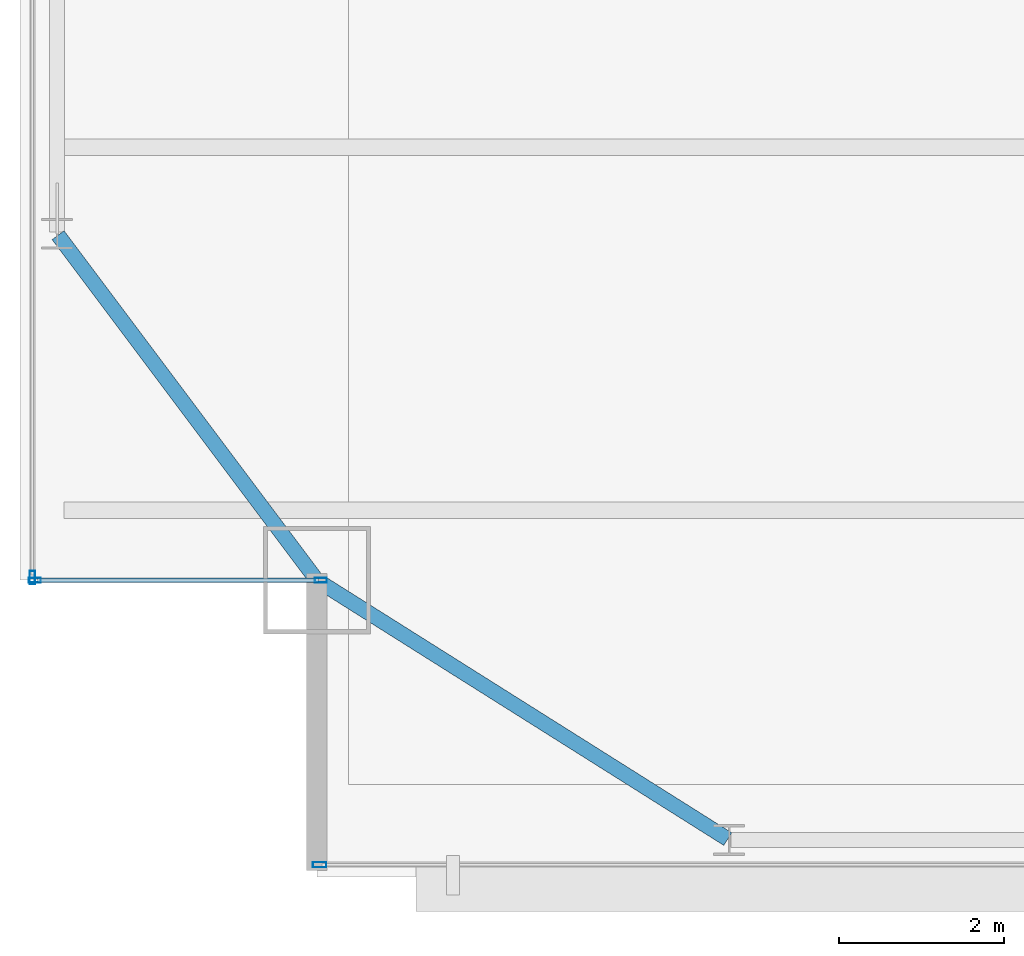
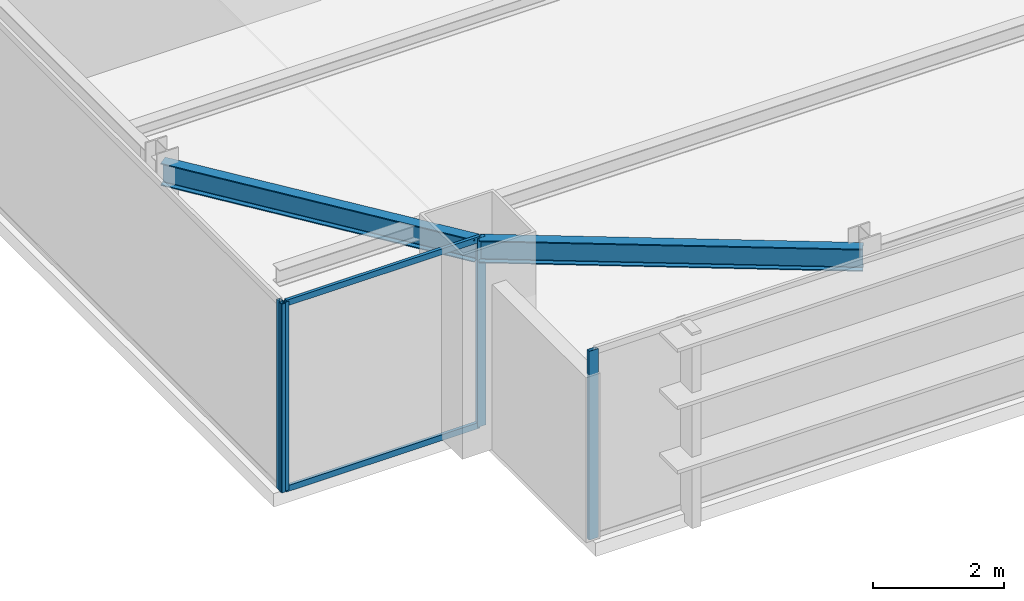
# One storey, part 4 of 29: 6 members, 2 beams, 3 elements without a shape of their own.
"""IFC4 building model written with IfcOpenShell, lengths in metres."""

from ifc_helpers import new_model, si_unit, direction, frame, origin, origin_2d, place, context, subcontext, project, spatial, hollow_rectangle, i_section, extrude, source, transform, mapped, material, layer, layer_set, material_profile, profile_set, type_object, type_shapes, element, aggregate, save


model = new_model("IFC4")

# Units and contexts
model_context = context("Model", 3, precision=1e-05, world=origin(), true_north=direction((0.0, 1.0)))
body_context = subcontext(model_context, "Body", "Model", "MODEL_VIEW")
ifc_project = project(units=[si_unit("LENGTHUNIT", "METRE"), si_unit("AREAUNIT", "SQUARE_METRE"), si_unit("VOLUMEUNIT", "CUBIC_METRE"), si_unit("PLANEANGLEUNIT", "RADIAN"), si_unit("MASSUNIT", "GRAM", prefix="KILO")], contexts=[model_context])

# Site, building, storey
site_placement = place(None, origin())
site = spatial("IfcSite", under=ifc_project, at=site_placement, CompositionType="ELEMENT")
building_placement = place(site_placement, origin())
building = spatial("IfcBuilding", under=site, at=building_placement, Name="Varnel Quay Broadcast Tower", CompositionType="ELEMENT")
storey_placement = place(building_placement, frame((0.0, 0.0, 187.60009765625)))
storey = spatial("IfcBuildingStorey", under=building, at=storey_placement, Name="L46", CompositionType="ELEMENT", Elevation=187.60009765625)

# Beams
ifc_material_1 = material(Name="Structural Steel CSA G40.21 350W", Category="steel")
ifc_material_profile_1 = material_profile(ifc_material_1, i_section(OverallWidth=0.180908203125, OverallDepth=0.4169921875, WebThickness=0.010986328125, FlangeThickness=0.018310546875, FilletRadius=0.011962890625, at=origin_2d()), Name="W410X85")
ifc_profile_set_1 = profile_set([ifc_material_profile_1], Name="Structural Steel CSA G40.21 350W")
beam_type = type_object("IfcBeamType", Name="Beam_W410X85", PredefinedType="SPANDREL", material=ifc_profile_set_1)
shared_shape_1 = source(origin(), body_context, "Body", "SweptSolid", [
    extrude(i_section(OverallWidth=0.180908203125, OverallDepth=0.4169921875, WebThickness=0.010986328125, FlangeThickness=0.018310546875, FilletRadius=0.011962890625, at=origin_2d()), origin(), (0.0, 0.0, 1.0), 5.869384765625),
])
beam_1_placement = place(storey_placement, frame((10.616943359375, 10.789306640625, 3.3115234375), z_axis=(0.846088328928, -0.533042718412, 0.0), x_axis=(0.533042718412, 0.846088328928, 0.0)))
element("IfcBeam", 1, at=beam_1_placement, inside=storey, type_object=beam_type, Name="L46 South Spandrel MC-SW-TC-S1", PredefinedType="SPANDREL", context=body_context, shape_type="MappedRepresentation", body=[
    mapped(shared_shape_1, transform((0.0, 0.0, 0.0), x_axis=(1.0, 0.0, 0.0), y_axis=(0.0, 1.0, 0.0), z_axis=(0.0, 0.0, 1.0), scale=1.0)),
])
shared_shape_2 = source(origin(), body_context, "Body", "SweptSolid", [
    extrude(i_section(OverallWidth=0.180908203125, OverallDepth=0.4169921875, WebThickness=0.010986328125, FlangeThickness=0.018310546875, FilletRadius=0.011962890625, at=origin_2d()), origin(), (0.0, 0.0, 1.0), 5.2099609375),
])
type_shapes(beam_type, [shared_shape_1, shared_shape_2])
beam_2_placement = place(storey_placement, frame((10.587890625, 10.81591796875, 3.3115234375), z_axis=(-0.6, 0.8, 0.0), x_axis=(-0.8, -0.6, 0.0)))
element("IfcBeam", 2, at=beam_2_placement, inside=storey, type_object=beam_type, Name="L46 West Spandrel MC-SW-TC-W1", PredefinedType="SPANDREL", context=body_context, shape_type="MappedRepresentation", body=[
    mapped(shared_shape_2, transform((0.0, 0.0, 0.0), x_axis=(1.0, 0.0, 0.0), y_axis=(0.0, 1.0, 0.0), z_axis=(0.0, 0.0, 1.0), scale=1.0)),
])

# Curtain wall, members
ifc_material_2 = material(Name="Anodised Bronze Aluminium 6063-T6", Category="aluminium")
ifc_layer_1 = layer(ifc_material_2, 0.18994140625, Name="Anodised Bronze Aluminium 6063-T6")
ifc_layer_set_1 = layer_set([ifc_layer_1], Name="Anodised Bronze Aluminium 6063-T6")
curtain_wall_type_1 = type_object("IfcCurtainWallType", Name="CW_NotchCorner", PredefinedType="NOTDEFINED", material=ifc_layer_set_1)
curtain_wall_1_placement = place(storey_placement, origin())
curtain_wall_1 = element("IfcCurtainWall", 3, at=curtain_wall_1_placement, inside=storey, type_object=curtain_wall_type_1, Name="L46 SW Notch Curtain Wall", PredefinedType="NOTDEFINED")
ifc_material_profile_2 = material_profile(ifc_material_2, hollow_rectangle(XDim=0.054931640625, YDim=0.110107421875, WallThickness=0.0029296875, at=origin_2d()), Name="ALU55X110X3")
ifc_profile_set_2 = profile_set([ifc_material_profile_2], Name="Anodised Bronze Aluminium 6063-T6")
member_type_1 = type_object("IfcMemberType", Name="Tran_CWS-04", PredefinedType="USERDEFINED", material=ifc_profile_set_2)
shared_shape_3 = source(origin(), body_context, "Body", "SweptSolid", [
    extrude(hollow_rectangle(XDim=0.054931640625, YDim=0.110107421875, WallThickness=0.0029296875, at=origin_2d()), origin(), (0.0, 0.0, 1.0), 3.41015625),
])
type_shapes(member_type_1, [shared_shape_3])
member_1_placement = place(storey_placement, frame((7.2099609375, 10.800048828125, 0.02734375), z_axis=(1.0, 0.0, 0.0), x_axis=(0.0, 1.0, 0.0)))
member_1 = element("IfcMember", 4, at=member_1_placement, type_object=member_type_1, Name="CWS-04 transom 1.1", ObjectType="TRANSOM", PredefinedType="USERDEFINED", context=body_context, shape_type="MappedRepresentation", body=[
    mapped(shared_shape_3, transform((0.0, 0.0, 0.0), x_axis=(1.0, 0.0, 0.0), y_axis=(0.0, 1.0, 0.0), z_axis=(0.0, 0.0, 1.0), scale=1.0)),
])
member_2_placement = place(storey_placement, frame((7.2099609375, 10.800048828125, 3.492431640625), z_axis=(1.0, 0.0, 0.0), x_axis=(0.0, 1.0, 0.0)))
member_2 = element("IfcMember", 5, at=member_2_placement, type_object=member_type_1, Name="CWS-04 transom 1.2", ObjectType="TRANSOM", PredefinedType="USERDEFINED", context=body_context, shape_type="MappedRepresentation", body=[
    mapped(shared_shape_3, transform((0.0, 0.0, 0.0), x_axis=(1.0, 0.0, 0.0), y_axis=(0.0, 1.0, 0.0), z_axis=(0.0, 0.0, 1.0), scale=1.0)),
])
ifc_material_profile_3 = material_profile(ifc_material_2, hollow_rectangle(XDim=0.06005859375, YDim=0.14501953125, WallThickness=0.00341796875, at=origin_2d()), Name="ALU60X145X3.5")
ifc_profile_set_3 = profile_set([ifc_material_profile_3], Name="Anodised Bronze Aluminium 6063-T6")
member_type_2 = type_object("IfcMemberType", Name="Mull_CWS-04", PredefinedType="MULLION", material=ifc_profile_set_3)
shared_shape_4 = source(origin(), body_context, "Body", "SweptSolid", [
    extrude(hollow_rectangle(XDim=0.06005859375, YDim=0.14501953125, WallThickness=0.00341796875, at=origin_2d()), origin(), (0.0, 0.0, 1.0), 3.52001953125),
])
type_shapes(member_type_2, [shared_shape_4])
member_3_placement = place(storey_placement, frame((7.179931640625, 10.800048828125, 0.0), z_axis=(0.0, 0.0, 1.0), x_axis=(0.0, 1.0, 0.0)))
member_3 = element("IfcMember", 6, at=member_3_placement, type_object=member_type_2, Name="CWS-04 mullion 1", PredefinedType="MULLION", context=body_context, shape_type="MappedRepresentation", body=[
    mapped(shared_shape_4, transform((0.0, 0.0, 0.0), x_axis=(1.0, 0.0, 0.0), y_axis=(0.0, 1.0, 0.0), z_axis=(0.0, 0.0, 1.0), scale=1.0)),
])
member_4_placement = place(storey_placement, frame((10.64990234375, 10.800048828125, 0.0), z_axis=(0.0, 0.0, 1.0), x_axis=(0.0, 1.0, 0.0)))
member_4 = element("IfcMember", 7, at=member_4_placement, type_object=member_type_2, Name="CWS-04 mullion 2", PredefinedType="MULLION", context=body_context, shape_type="MappedRepresentation", body=[
    mapped(shared_shape_4, transform((0.0, 0.0, 0.0), x_axis=(1.0, 0.0, 0.0), y_axis=(0.0, 1.0, 0.0), z_axis=(0.0, 0.0, 1.0), scale=1.0)),
])
aggregate(curtain_wall_1, [member_3, member_4, member_1, member_2])

# Curtain wall, member
ifc_layer_2 = layer(ifc_material_2, 0.18994140625, Name="Anodised Bronze Aluminium 6063-T6")
ifc_layer_set_2 = layer_set([ifc_layer_2], Name="Anodised Bronze Aluminium 6063-T6")
curtain_wall_type_2 = type_object("IfcCurtainWallType", Name="CW_UpperTower", PredefinedType="NOTDEFINED", material=ifc_layer_set_2)
curtain_wall_2_placement = place(storey_placement, origin())
curtain_wall_2 = element("IfcCurtainWall", 8, at=curtain_wall_2_placement, inside=storey, type_object=curtain_wall_type_2, Name="L46 South Unitised Curtain Wall 1", PredefinedType="NOTDEFINED")
ifc_material_profile_4 = material_profile(ifc_material_2, hollow_rectangle(XDim=0.06494140625, YDim=0.1650390625, WallThickness=0.00341796875, at=origin_2d()), Name="ALU65X165X3.5")
ifc_profile_set_4 = profile_set([ifc_material_profile_4], Name="Anodised Bronze Aluminium 6063-T6")
member_type_3 = type_object("IfcMemberType", Name="Mull_CWS-03", PredefinedType="MULLION", material=ifc_profile_set_4)
shared_shape_5 = source(origin(), body_context, "Body", "SweptSolid", [
    extrude(hollow_rectangle(XDim=0.06494140625, YDim=0.1650390625, WallThickness=0.00341796875, at=origin_2d()), origin(), (0.0, 0.0, 1.0), 3.52001953125),
])
type_shapes(member_type_3, [shared_shape_5])
member_5_placement = place(storey_placement, frame((10.632568359375, 7.35009765625, 0.0), z_axis=(0.0, 0.0, 1.0), x_axis=(0.0, 1.0, 0.0)))
member_5 = element("IfcMember", 9, at=member_5_placement, type_object=member_type_3, Name="CWS-03 mullion 1", PredefinedType="MULLION", context=body_context, shape_type="MappedRepresentation", body=[
    mapped(shared_shape_5, transform((0.0, 0.0, 0.0), x_axis=(1.0, 0.0, 0.0), y_axis=(0.0, 1.0, 0.0), z_axis=(0.0, 0.0, 1.0), scale=1.0)),
])
aggregate(curtain_wall_2, [member_5])

curtain_wall_3_placement = place(storey_placement, origin())
curtain_wall_3 = element("IfcCurtainWall", 10, at=curtain_wall_3_placement, inside=storey, type_object=curtain_wall_type_2, Name="L46 West Unitised Curtain Wall", PredefinedType="NOTDEFINED")
member_6_placement = place(storey_placement, frame((7.14990234375, 10.83251953125, 0.0), z_axis=(0.0, 0.0, 1.0), x_axis=(-1.0, 0.0, 0.0)))
member_6 = element("IfcMember", 11, at=member_6_placement, type_object=member_type_3, Name="CWS-03 mullion 1", PredefinedType="MULLION", context=body_context, shape_type="MappedRepresentation", body=[
    mapped(shared_shape_5, transform((0.0, 0.0, 0.0), x_axis=(1.0, 0.0, 0.0), y_axis=(0.0, 1.0, 0.0), z_axis=(0.0, 0.0, 1.0), scale=1.0)),
])
aggregate(curtain_wall_3, [member_6])

save(model, "model.ifc")
